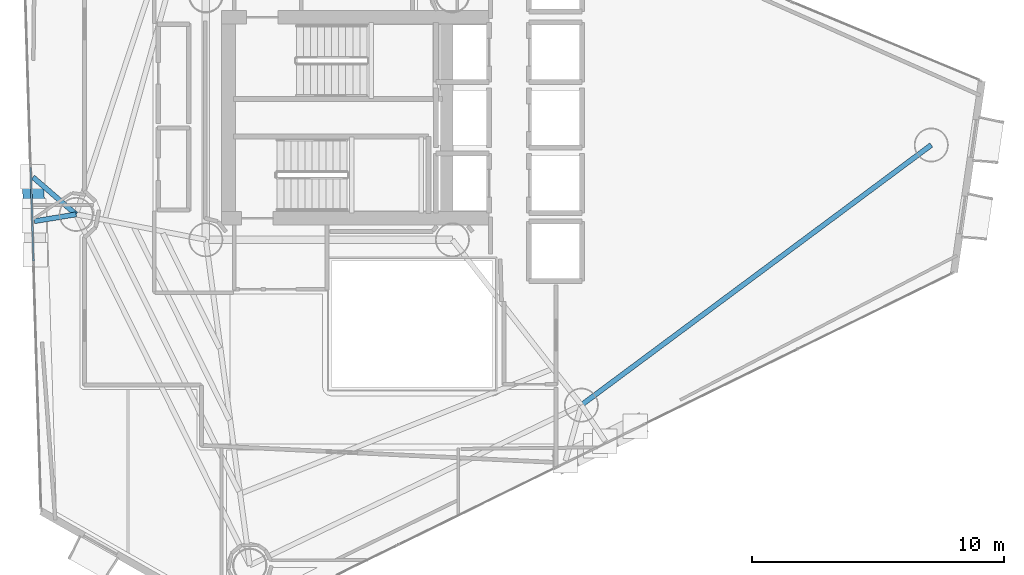
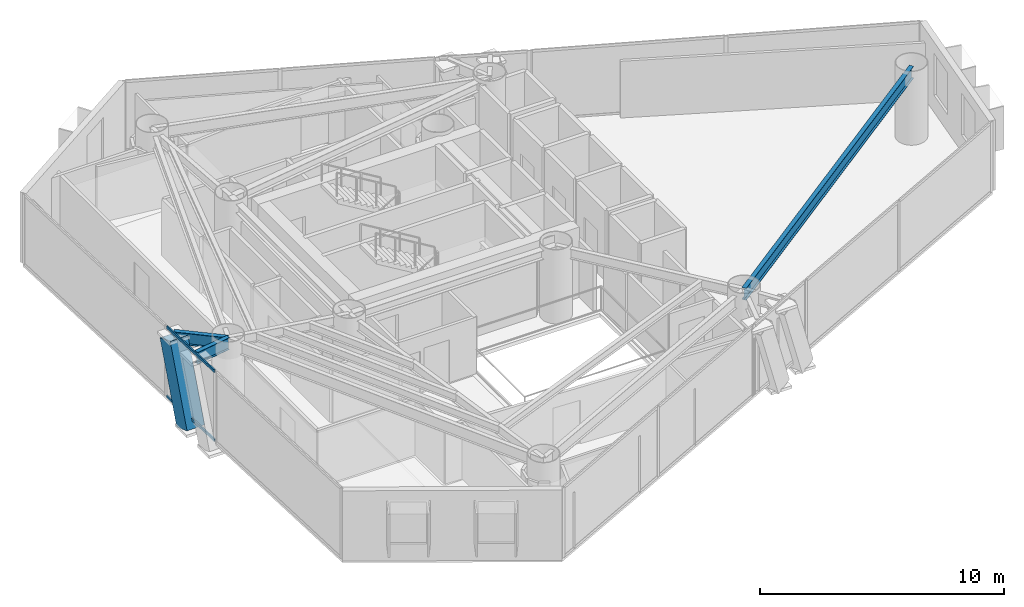
# One storey, part 8 of 22: 3 beams, 3 members, 1 element without a shape of its own.
"""IFC4 building model written with IfcOpenShell, lengths in metres."""

from ifc_helpers import new_model, si_unit, direction, frame, origin, origin_2d, place, context, subcontext, project, spatial, hollow_rectangle, i_section, extrude, material, layer, layer_set, material_profile, profile_set, type_object, element, aggregate, save


model = new_model("IFC4")

# Units and contexts
model_context = context("Model", 3, precision=1e-05, world=origin(), true_north=direction((0.0, 1.0)))
body_context = subcontext(model_context, "Body", "Model", "MODEL_VIEW")
ifc_project = project(units=[si_unit("LENGTHUNIT", "METRE"), si_unit("AREAUNIT", "SQUARE_METRE"), si_unit("VOLUMEUNIT", "CUBIC_METRE"), si_unit("PLANEANGLEUNIT", "RADIAN"), si_unit("MASSUNIT", "GRAM", prefix="KILO")], contexts=[model_context])

# Site, building, storey
site_placement = place(None, origin())
site = spatial("IfcSite", under=ifc_project, at=site_placement, CompositionType="ELEMENT")
building_placement = place(site_placement, origin())
building = spatial("IfcBuilding", under=site, at=building_placement, Name="Qianvela Tower", CompositionType="ELEMENT")
storey_placement = place(building_placement, frame((0.0, 0.0, 158.699951171875)))
storey = spatial("IfcBuildingStorey", under=building, at=storey_placement, Name="L40", CompositionType="ELEMENT", Elevation=158.699951171875)

# Beams
ifc_material_1 = material(Name="Steel Q355B", Category="steel")
ifc_material_profile_1 = material_profile(ifc_material_1, i_section(OverallWidth=0.199951171875, OverallDepth=0.60009765625, WebThickness=0.010986328125, FlangeThickness=0.01708984375, at=origin_2d()), Name="HN600x200x11x17")
ifc_profile_set_1 = profile_set([ifc_material_profile_1], Name="Steel Q355B")
beam_type = type_object("IfcBeamType", Name="BM-HN600-GIRD", PredefinedType="BEAM", material=ifc_profile_set_1)
beam_1_placement = place(storey_placement, frame((23.446044921875, 24.85888671875, 3.218017578125), z_axis=(-0.757391601735, 0.652960918908, 0.0), x_axis=(-0.652960918908, -0.757391601735, 0.0)))
element("IfcBeam", 1, at=beam_1_placement, inside=storey, type_object=beam_type, Name="L40 Mega-Brace Column Tie Bracket F2-1", PredefinedType="BEAM", context=body_context, shape_type="SweptSolid", body=[
    extrude(i_section(OverallWidth=0.199951171875, OverallDepth=0.60009765625, WebThickness=0.010986328125, FlangeThickness=0.01708984375, at=origin_2d()), origin(), (0.0, 0.0, 1.0), 2.267578125),
])
beam_2_placement = place(storey_placement, frame((23.446044921875, 24.85888671875, 3.218017578125), z_axis=(-0.986993913165, -0.16075762929, 0.0), x_axis=(0.16075762929, -0.986993913165, 0.0)))
element("IfcBeam", 2, at=beam_2_placement, inside=storey, type_object=beam_type, Name="L40 Mega-Brace Column Tie Bracket F2-2", PredefinedType="BEAM", context=body_context, shape_type="SweptSolid", body=[
    extrude(i_section(OverallWidth=0.199951171875, OverallDepth=0.60009765625, WebThickness=0.010986328125, FlangeThickness=0.01708984375, at=origin_2d()), origin(), (0.0, 0.0, 1.0), 1.685791015625),
])
beam_3_placement = place(storey_placement, frame((43.52490234375, 17.279052734375, 3.218017578125), z_axis=(0.802568869864, 0.596559476603, 0.0), x_axis=(-0.596559476603, 0.802568869864, 0.0)))
element("IfcBeam", 3, at=beam_3_placement, inside=storey, type_object=beam_type, Name="L40 Perimeter Ring Spandrel Girder 6", PredefinedType="BEAM", context=body_context, shape_type="SweptSolid", body=[
    extrude(i_section(OverallWidth=0.199951171875, OverallDepth=0.60009765625, WebThickness=0.010986328125, FlangeThickness=0.01708984375, at=origin_2d()), origin(), (0.0, 0.0, 1.0), 17.330810546875),
])

# Curtain wall, members
ifc_material_2 = material(Name="Anodised Architectural Aluminium and Insulated Spandrel Panel", Category="aluminium")
ifc_layer = layer(ifc_material_2, 0.179931640625)
ifc_layer_set = layer_set([ifc_layer], Name="Anodised Architectural Aluminium and Insulated Spandrel Panel")
curtain_wall_type = type_object("IfcCurtainWallType", Name="CW-BRACEBAY", PredefinedType="USERDEFINED", material=ifc_layer_set)
curtain_wall_placement = place(storey_placement, origin())
curtain_wall = element("IfcCurtainWall", 4, at=curtain_wall_placement, inside=storey, type_object=curtain_wall_type, Name="L40 CW-BRACEBAY Curtain Wall 04B", ObjectType="CURTAIN_WALL_SYSTEM", PredefinedType="USERDEFINED")
ifc_material_3 = material(Name="Anodised Architectural Aluminium 6063-T6", Category="aluminium")
ifc_material_profile_2 = material_profile(ifc_material_3, hollow_rectangle(XDim=0.06494140625, YDim=0.1298828125, WallThickness=0.00439453125, at=origin_2d()), Name="ALU-TRAN-65x130")
ifc_profile_set_2 = profile_set([ifc_material_profile_2], Name="Anodised Architectural Aluminium 6063-T6")
member_type_1 = type_object("IfcMemberType", Name="CW-BRACEBAY-TRAN", PredefinedType="USERDEFINED", material=ifc_profile_set_2)
member_1_placement = place(storey_placement, frame((21.63623046875, 26.731689453125, 0.032470703125), z_axis=(0.030697333011, -0.999528725823, 0.0), x_axis=(0.999528725823, 0.030697333011, 0.0)))
member_1 = element("IfcMember", 5, at=member_1_placement, type_object=member_type_1, Name="CW-9 transom 1.1", ObjectType="TRANSOM", PredefinedType="USERDEFINED", context=body_context, shape_type="SweptSolid", body=[
    extrude(hollow_rectangle(XDim=0.06494140625, YDim=0.1298828125, WallThickness=0.00439453125, at=origin_2d()), origin(), (0.0, 0.0, 1.0), 3.72998046875),
])
member_2_placement = place(storey_placement, frame((21.63623046875, 26.731689453125, 3.487548828125), z_axis=(0.030697333011, -0.999528725823, 0.0), x_axis=(0.999528725823, 0.030697333011, 0.0)))
member_2 = element("IfcMember", 6, at=member_2_placement, type_object=member_type_1, Name="CW-9 transom 1.2", ObjectType="TRANSOM", PredefinedType="USERDEFINED", context=body_context, shape_type="SweptSolid", body=[
    extrude(hollow_rectangle(XDim=0.06494140625, YDim=0.1298828125, WallThickness=0.00439453125, at=origin_2d()), origin(), (0.0, 0.0, 1.0), 3.72998046875),
])
aggregate(curtain_wall, [member_1, member_2])

# Member
ifc_material_4 = material(Name="Steel Q420GJC", Category="steel")
ifc_material_profile_3 = material_profile(ifc_material_4, hollow_rectangle(XDim=0.85009765625, YDim=0.85009765625, WallThickness=0.031982421875, at=origin_2d()), Name="MBOX-850x850x32")
ifc_profile_set_3 = profile_set([ifc_material_profile_3], Name="Steel Q420GJC")
member_type_2 = type_object("IfcMemberType", Name="MBR-MBRACE-850", PredefinedType="BRACE", material=ifc_profile_set_3)
member_3_placement = place(storey_placement, frame((21.768798828125, 25.027587890625, -0.48193359375), z_axis=(-0.010260901842, 0.334194463632, 0.942448287372), x_axis=(-0.999528984016, -0.030688924891, 0.0)))
element("IfcMember", 7, at=member_3_placement, inside=storey, type_object=member_type_2, Name="L40 Tier 6 Exterior Mega-Brace F2A", PredefinedType="BRACE", context=body_context, shape_type="SweptSolid", body=[
    extrude(hollow_rectangle(XDim=0.85009765625, YDim=0.85009765625, WallThickness=0.031982421875, at=origin_2d()), origin(), (0.0, 0.0, 1.0), 3.92578125),
])

save(model, "model.ifc")
